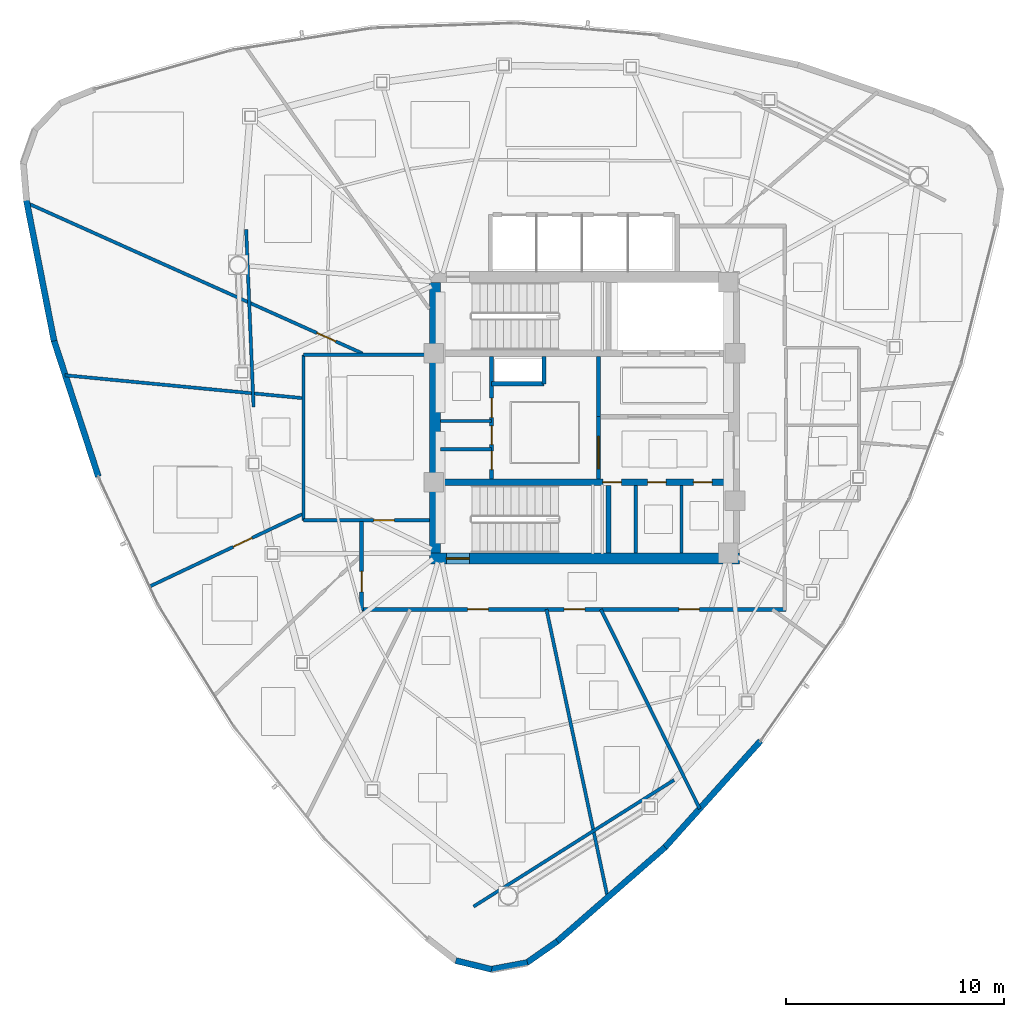
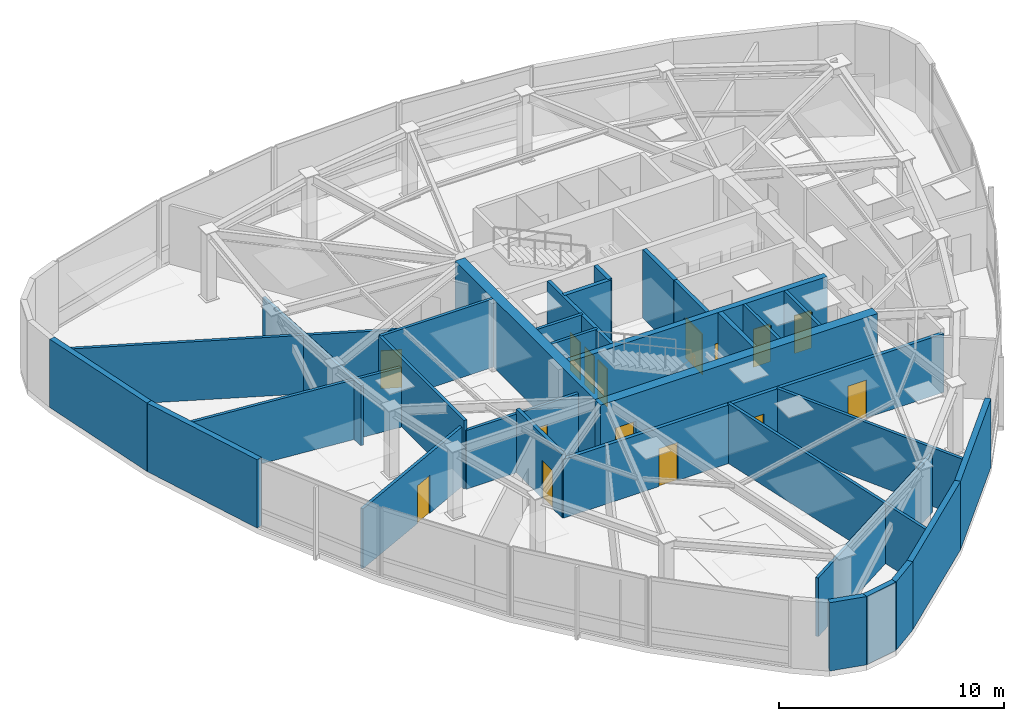
# One storey, part 8 of 12: 32 walls, 15 doors, 15 openings.
"""IFC4 building model written with IfcOpenShell, lengths in metres."""

import ifcopenshell
import ifcopenshell.guid

model = None  # the IFC model being written
_history = None  # IfcOwnerHistory: only IFC2X3 demands one
_inside = {}  # id of a spatial element -> (the spatial element, [elements in it])
_under = {}  # id of a project, library or spatial element -> (it, [spatial elements below it])
_declared = {}  # id of a project -> (the project, [libraries it declares])
_typed = {}  # id of a type object -> (the type object, [elements of that type])
_made_of = {}  # id of a material, layer set ... -> (it, [elements and type objects made of it])


def new_model(schema):
    """Start an empty IFC model of exactly this schema.

    Asked for "IFC4X3", IfcOpenShell would pick the latest addendum, in which some entities
    have other attributes; the version numbers below select the first issue.
    IFC2X3 requires an IfcOwnerHistory on every rooted entity: one is made here for all.
    """
    global model, _history
    if schema == "IFC4X3":
        model = ifcopenshell.file(schema_version=(4, 3, 0, 0))
    else:
        model = ifcopenshell.file(schema=schema)
    _inside.clear()
    _under.clear()
    _declared.clear()
    _typed.clear()
    _made_of.clear()
    _history = None
    if model.schema == "IFC2X3":
        org = make("IfcOrganization", Name="unknown")
        user = make(
            "IfcPersonAndOrganization",
            ThePerson=make("IfcPerson", FamilyName="unknown"),
            TheOrganization=org,
        )
        app = make(
            "IfcApplication",
            ApplicationDeveloper=org,
            Version="unknown",
            ApplicationFullName="unknown",
            ApplicationIdentifier="unknown",
        )
        _history = make(
            "IfcOwnerHistory",
            OwningUser=user,
            OwningApplication=app,
            ChangeAction="ADDED",
            CreationDate=0,
        )
    return model


def make(cls, **values):
    """One entity of the class cls with the attributes given. An attribute that is None is left unset."""
    return model.create_entity(
        cls, **{name: value for name, value in values.items() if value is not None}
    )


def rooted(cls, **values):
    """An entity with a GlobalId (a new one), such as an element, a storey or a relation."""
    return make(cls, GlobalId=ifcopenshell.guid.new(), OwnerHistory=_history, **values)


def si_unit(unit_type, name, prefix=None):
    """IfcSIUnit, for example si_unit("LENGTHUNIT", "METRE", prefix="MILLI")."""
    return make("IfcSIUnit", UnitType=unit_type, Prefix=prefix, Name=name)


def assignment(units):
    """IfcUnitAssignment: the units of a project."""
    return None if units is None else make("IfcUnitAssignment", Units=units)


def point(xyz):
    """IfcCartesianPoint."""
    return None if xyz is None else make("IfcCartesianPoint", Coordinates=xyz)


def direction(xyz):
    """IfcDirection."""
    return None if xyz is None else make("IfcDirection", DirectionRatios=xyz)


def frame(location, z_axis=None, x_axis=None):
    """IfcAxis2Placement3D, a coordinate frame: its origin and axes. An axis left out is left unset."""
    return make(
        "IfcAxis2Placement3D",
        Location=point(location),
        Axis=direction(z_axis),
        RefDirection=direction(x_axis),
    )


def frame_2d(location, x_axis=None):
    """IfcAxis2Placement2D, a coordinate frame in the plane: its origin and x axis."""
    return make(
        "IfcAxis2Placement2D", Location=point(location), RefDirection=direction(x_axis)
    )


def origin():
    """The frame at (0, 0, 0) with its axes left unset."""
    return frame((0.0, 0.0, 0.0))


def place(relative_to, where):
    """IfcLocalPlacement: puts the frame where relative to a parent placement (None: the world)."""
    return make(
        "IfcLocalPlacement", PlacementRelTo=relative_to, RelativePlacement=where
    )


def context(
    kind, dimensions, precision=None, world=None, true_north=None, identifier=None
):
    """IfcGeometricRepresentationContext, for example the 3D "Model" context."""
    return make(
        "IfcGeometricRepresentationContext",
        ContextIdentifier=identifier,
        ContextType=kind,
        CoordinateSpaceDimension=dimensions,
        Precision=precision,
        WorldCoordinateSystem=world,
        TrueNorth=true_north,
    )


def subcontext(parent, identifier, kind, view, scale=None):
    """IfcGeometricRepresentationSubContext, for example "Body" below "Model"."""
    return make(
        "IfcGeometricRepresentationSubContext",
        ContextIdentifier=identifier,
        ContextType=kind,
        ParentContext=parent,
        TargetScale=scale,
        TargetView=view,
    )


def project(units=None, contexts=None):
    """IfcProject with its units and contexts."""
    return rooted(
        "IfcProject",
        Name="project",
        RepresentationContexts=contexts,
        UnitsInContext=assignment(units),
    )


def spatial(cls, under=None, at=None, **own):
    """A site, building, storey or space (cls), placed at a placement, below another one or the project."""
    s = rooted(cls, ObjectPlacement=at, **own)
    if under is not None:
        _under.setdefault(under.id(), (under, []))[1].append(s)
    return s


def profile(cls, at=None, kind="AREA", **sizes):
    """A parametric profile (cls). Its sizes go by their IFC names, for example OverallWidth=200.0."""
    return make(cls, ProfileType=kind, Position=at, **sizes)


def rectangle(**sizes):
    """IfcRectangleProfileDef."""
    return profile("IfcRectangleProfileDef", **sizes)


def extrude(swept, where, along, depth):
    """IfcExtrudedAreaSolid: the profile swept, set in the frame where, extruded along a direction by depth."""
    return make(
        "IfcExtrudedAreaSolid",
        SweptArea=swept,
        Position=where,
        ExtrudedDirection=direction(along),
        Depth=depth,
    )


def shape(context_of_items, identifier, shape_type, items):
    """IfcShapeRepresentation: the items that make up one representation, for example the "Body"."""
    return make(
        "IfcShapeRepresentation",
        ContextOfItems=context_of_items,
        RepresentationIdentifier=identifier,
        RepresentationType=shape_type,
        Items=items,
    )


def material(Name=None, Category=None):
    """IfcMaterial."""
    return make("IfcMaterial", Name=Name, Category=Category)


def layer(
    of_material, thickness, ventilated=None, Name=None, Category=None, Priority=None
):
    """IfcMaterialLayer: one layer of a wall or slab, of a material (None: an air gap)."""
    return make(
        "IfcMaterialLayer",
        Material=of_material,
        LayerThickness=thickness,
        IsVentilated=ventilated,
        Name=Name,
        Category=Category,
        Priority=Priority,
    )


def layer_set(layers, Name=None):
    """IfcMaterialLayerSet."""
    return make("IfcMaterialLayerSet", MaterialLayers=layers, LayerSetName=Name)


def made_of(thing, what):
    """Note that an element or type object is made of a material, layer set ...; save() writes the relation."""
    if what is not None:
        _made_of.setdefault(what.id(), (what, []))[1].append(thing)
    return thing


def type_object(cls, material=None, **own):
    """A type object (cls), such as IfcWallType, which elements share."""
    return made_of(rooted(cls, **own), material)


def element(
    cls,
    number,
    at=None,
    inside=None,
    cuts=None,
    type_object=None,
    material=None,
    context=None,
    identifier="Body",
    shape_type=None,
    held_by="IfcProductDefinitionShape",
    body=None,
    shapes=None,
    **own,
):
    """One element of the class cls, such as IfcWall. Its Tag is "e" and its number.

    at: its placement. inside: the storey or other place that contains it. cuts: it is an
    opening in that element (IfcRelVoidsElement). A single representation is given by context,
    identifier, shape_type and body (its items); several are given by shapes. held_by: the class
    of the entity that holds the representations. save() writes the other relations.
    """
    e = rooted(cls, Tag="e%d" % number, ObjectPlacement=at, **own)
    if body is not None:
        shapes = [shape(context, identifier, shape_type, body)]
    if shapes is not None:
        e.Representation = make(held_by, Representations=shapes)
    if inside is not None:
        _inside.setdefault(inside.id(), (inside, []))[1].append(e)
    if cuts is not None:
        rooted(
            "IfcRelVoidsElement", RelatingBuildingElement=cuts, RelatedOpeningElement=e
        )
    if type_object is not None:
        _typed.setdefault(type_object.id(), (type_object, []))[1].append(e)
    return made_of(e, material)


def fill(opening, filler):
    """IfcRelFillsElement: the door or window that sits in an opening."""
    return rooted(
        "IfcRelFillsElement",
        RelatingOpeningElement=opening,
        RelatedBuildingElement=filler,
    )


def aggregate(whole, parts):
    """IfcRelAggregates: a whole, such as a stair, and the parts it consists of."""
    return rooted("IfcRelAggregates", RelatingObject=whole, RelatedObjects=parts)


def save(model, path):
    """Write the relations noted so far, then the file.

    IfcRelAggregates (storeys below a building ...), IfcRelContainedInSpatialStructure (elements
    in a storey), IfcRelDefinesByType, IfcRelAssociatesMaterial and IfcRelDeclares: one each for
    every whole, place, type object, material and project.
    """
    for whole, parts in _under.values():
        aggregate(whole, parts)
    for where, things in _inside.values():
        rooted(
            "IfcRelContainedInSpatialStructure",
            RelatedElements=things,
            RelatingStructure=where,
        )
    for kind, things in _typed.values():
        rooted("IfcRelDefinesByType", RelatedObjects=things, RelatingType=kind)
    for what, things in _made_of.values():
        rooted("IfcRelAssociatesMaterial", RelatedObjects=things, RelatingMaterial=what)
    for by, libraries in _declared.values():
        rooted("IfcRelDeclares", RelatingContext=by, RelatedDefinitions=libraries)
    model.write(path)


model = new_model("IFC4")

# Units and contexts
model_context = context("Model", 3, precision=1e-05, world=origin(), true_north=direction((0.0, 1.0)))
body_context = subcontext(model_context, "Body", "Model", "MODEL_VIEW")
ifc_project = project(units=[si_unit("LENGTHUNIT", "METRE"), si_unit("AREAUNIT", "SQUARE_METRE"), si_unit("VOLUMEUNIT", "CUBIC_METRE"), si_unit("PLANEANGLEUNIT", "RADIAN"), si_unit("MASSUNIT", "GRAM", prefix="KILO")], contexts=[model_context])

# Site, building, storey
site_placement = place(None, origin())
site = spatial("IfcSite", under=ifc_project, at=site_placement, CompositionType="ELEMENT")
building_placement = place(site_placement, origin())
building = spatial("IfcBuilding", under=site, at=building_placement, Name="Tavelor Broadcast Tower", CompositionType="ELEMENT")
storey_placement = place(building_placement, frame((0.0, 0.0, 289.5)))
storey = spatial("IfcBuildingStorey", under=building, at=storey_placement, Name="L69", CompositionType="ELEMENT", Elevation=289.5)

# Wall, opening, door
ifc_material_1 = material(Name="Concrete C50/60", Category="concrete")
ifc_layer_1 = layer(ifc_material_1, 0.5)
ifc_layer_set_1 = layer_set([ifc_layer_1], Name="Concrete C50/60")
wall_type_1 = type_object("IfcWallType", Name="Core Shear Wall 500 mm", PredefinedType="SHEAR", material=ifc_layer_set_1)
wall_1_placement = place(storey_placement, frame((42.89990234375, 38.550048828125, 0.0), z_axis=(0.0, 0.0, 1.0), x_axis=(1.0, 0.0, 0.0)))
wall_1 = element("IfcWall", 1, at=wall_1_placement, inside=storey, type_object=wall_type_1, Name="L69 Central Core Shear Wall S", PredefinedType="SHEAR", context=body_context, shape_type="SweptSolid", body=[
    extrude(rectangle(XDim=14.2001953125, YDim=0.5, at=frame_2d((7.10009765625, 0.0))), origin(), (0.0, 0.0, 1.0), 3.699951171875),
])
opening_1_placement = place(wall_1_placement, frame((0.780029296875, 0.0, 0.0)))
opening_1 = element("IfcOpeningElement", 2, at=opening_1_placement, cuts=wall_1, Name="Opening DR11", PredefinedType="OPENING", context=body_context, shape_type="SweptSolid", body=[
    extrude(rectangle(XDim=1.050048828125, YDim=2.199951171875, at=frame_2d((0.52490234375, 1.10009765625))), frame((0.0, 0.260009765625, 0.0), z_axis=(0.0, -1.0, 0.0), x_axis=(1.0, 0.0, 0.0)), (0.0, 0.0, 1.0), 0.52001953125),
])
ifc_material_2 = material(Name="Steel S355", Category="steel")
door_type_1 = type_object("IfcDoorType", Name="Stair Core Fire Escape Door 1050x2200", OperationType="NOTDEFINED", PredefinedType="DOOR", material=ifc_material_2)
door_1_placement = place(opening_1_placement, origin())
door_1 = element("IfcDoor", 3, at=door_1_placement, inside=storey, type_object=door_type_1, Name="L69 Stair ST2 Protected Exit Door", OperationType="SINGLE_SWING_RIGHT", OverallHeight=2.199951171875, OverallWidth=1.050048828125, PredefinedType="DOOR", context=body_context, shape_type="SweptSolid", body=[
    extrude(rectangle(XDim=1.050048828125, YDim=2.199951171875, at=frame_2d((0.52490234375, 1.10009765625))), frame((0.0, 0.02490234375, 0.0), z_axis=(0.0, -1.0, 0.0), x_axis=(1.0, 0.0, 0.0)), (0.0, 0.0, 1.0), 0.050048828125),
])
fill(opening_1, door_1)

# Wall
wall_2_placement = place(storey_placement, frame((43.14990234375, 38.800048828125, 0.0), z_axis=(0.0, 0.0, 1.0), x_axis=(0.0, 1.0, 0.0)))
element("IfcWall", 4, at=wall_2_placement, inside=storey, type_object=wall_type_1, Name="L69 Central Core Shear Wall W", PredefinedType="SHEAR", context=body_context, shape_type="SweptSolid", body=[
    extrude(rectangle(XDim=12.39990234375, YDim=0.5, at=frame_2d((6.199951171875, 0.0))), origin(), (0.0, 0.0, 1.0), 3.699951171875),
])

# Wall, openings, doors
ifc_layer_2 = layer(ifc_material_1, 0.300048828125)
ifc_layer_set_2 = layer_set([ifc_layer_2], Name="Concrete C50/60")
wall_type_2 = type_object("IfcWallType", Name="Core Spine Shear Wall 300 mm C50", PredefinedType="SHEAR", material=ifc_layer_set_2)
wall_3_placement = place(storey_placement, frame((43.39990234375, 42.050048828125, 0.0), z_axis=(0.0, 0.0, 1.0), x_axis=(1.0, 0.0, 0.0)))
wall_3 = element("IfcWall", 5, at=wall_3_placement, inside=storey, type_object=wall_type_2, Name="L69 Central Core Shear Wall SP2", PredefinedType="SHEAR", context=body_context, shape_type="SweptSolid", body=[
    extrude(rectangle(XDim=13.2001953125, YDim=0.300048828125, at=frame_2d((6.60009765625, 0.0))), origin(), (0.0, 0.0, 1.0), 3.699951171875),
])
opening_2_placement = place(wall_3_placement, frame((7.449951171875, 0.0, 0.0)))
opening_2 = element("IfcOpeningElement", 6, at=opening_2_placement, cuts=wall_3, Name="Opening DR36", PredefinedType="OPENING", context=body_context, shape_type="SweptSolid", body=[
    extrude(rectangle(XDim=0.85009765625, YDim=2.050048828125, at=frame_2d((0.425048828125, 1.02490234375))), frame((0.0, 0.16015625, 0.0), z_axis=(0.0, -1.0, 0.0), x_axis=(1.0, 0.0, 0.0)), (0.0, 0.0, 1.0), 0.320068359375),
])
opening_3_placement = place(wall_3_placement, frame((9.5, 0.0, 0.0)))
opening_3 = element("IfcOpeningElement", 7, at=opening_3_placement, cuts=wall_3, Name="Opening DR36", PredefinedType="OPENING", context=body_context, shape_type="SweptSolid", body=[
    extrude(rectangle(XDim=0.85009765625, YDim=2.050048828125, at=frame_2d((0.425048828125, 1.02490234375))), frame((0.0, 0.16015625, 0.0), z_axis=(0.0, -1.0, 0.0), x_axis=(1.0, 0.0, 0.0)), (0.0, 0.0, 1.0), 0.320068359375),
])
opening_4_placement = place(wall_3_placement, frame((11.60009765625, 0.0, 0.0)))
opening_4 = element("IfcOpeningElement", 8, at=opening_4_placement, cuts=wall_3, Name="Opening DR36", PredefinedType="OPENING", context=body_context, shape_type="SweptSolid", body=[
    extrude(rectangle(XDim=0.85009765625, YDim=2.050048828125, at=frame_2d((0.425048828125, 1.02490234375))), frame((0.0, 0.16015625, 0.0), z_axis=(0.0, -1.0, 0.0), x_axis=(1.0, 0.0, 0.0)), (0.0, 0.0, 1.0), 0.320068359375),
])
door_type_2 = type_object("IfcDoorType", Name="Service Room Fire Door 850x2050", OperationType="NOTDEFINED", PredefinedType="DOOR", material=ifc_material_2)
door_2_placement = place(opening_2_placement, origin())
door_2 = element("IfcDoor", 9, at=door_2_placement, inside=storey, type_object=door_type_2, Name="L69 Reclaimed South Core Pod 1 Door", OperationType="SINGLE_SWING_LEFT", OverallHeight=2.050048828125, OverallWidth=0.85009765625, PredefinedType="DOOR", context=body_context, shape_type="SweptSolid", body=[
    extrude(rectangle(XDim=0.85009765625, YDim=2.050048828125, at=frame_2d((0.425048828125, 1.02490234375))), frame((0.0, 0.02490234375, 0.0), z_axis=(0.0, -1.0, 0.0), x_axis=(1.0, 0.0, 0.0)), (0.0, 0.0, 1.0), 0.050048828125),
])
fill(opening_2, door_2)
door_3_placement = place(opening_3_placement, origin())
door_3 = element("IfcDoor", 10, at=door_3_placement, inside=storey, type_object=door_type_2, Name="L69 Reclaimed South Core Pod 2 Door", OperationType="SINGLE_SWING_RIGHT", OverallHeight=2.050048828125, OverallWidth=0.85009765625, PredefinedType="DOOR", context=body_context, shape_type="SweptSolid", body=[
    extrude(rectangle(XDim=0.85009765625, YDim=2.050048828125, at=frame_2d((0.425048828125, 1.02490234375))), frame((0.0, 0.02490234375, 0.0), z_axis=(0.0, -1.0, 0.0), x_axis=(1.0, 0.0, 0.0)), (0.0, 0.0, 1.0), 0.050048828125),
])
fill(opening_3, door_3)
door_4_placement = place(opening_4_placement, origin())
door_4 = element("IfcDoor", 11, at=door_4_placement, inside=storey, type_object=door_type_2, Name="L69 Reclaimed South Core Pod 3 Door", OperationType="SINGLE_SWING_LEFT", OverallHeight=2.050048828125, OverallWidth=0.85009765625, PredefinedType="DOOR", context=body_context, shape_type="SweptSolid", body=[
    extrude(rectangle(XDim=0.85009765625, YDim=2.050048828125, at=frame_2d((0.425048828125, 1.02490234375))), frame((0.0, 0.02490234375, 0.0), z_axis=(0.0, -1.0, 0.0), x_axis=(1.0, 0.0, 0.0)), (0.0, 0.0, 1.0), 0.050048828125),
])
fill(opening_4, door_4)

# Wall, opening, door
ifc_material_3 = material(Name="Calcium Silicate Fire Board 180 mm", Category="gypsum")
ifc_layer_3 = layer(ifc_material_3, 0.179931640625)
ifc_layer_set_3 = layer_set([ifc_layer_3], Name="Calcium Silicate Fire Board 180 mm")
wall_type_3 = type_object("IfcWallType", Name="Fire-Rated Corridor Partition Wall 180 mm", PredefinedType="PARTITIONING", material=ifc_layer_set_3)
wall_4_placement = place(storey_placement, frame((50.64990234375, 42.199951171875, 0.0), z_axis=(0.0, 0.0, 1.0), x_axis=(0.0, 1.0, 0.0)))
wall_4 = element("IfcWall", 12, at=wall_4_placement, inside=storey, type_object=wall_type_3, Name="L69 Core Lobby Zoning Wall", PredefinedType="PARTITIONING", context=body_context, shape_type="SweptSolid", body=[
    extrude(rectangle(XDim=2.85009765625, YDim=0.179931640625, at=frame_2d((1.425048828125, 0.0))), origin(), (0.0, 0.0, 1.0), 3.699951171875),
])
opening_5_placement = place(wall_4_placement, frame((0.449951171875, 0.0, 0.0)))
opening_5 = element("IfcOpeningElement", 13, at=opening_5_placement, cuts=wall_4, Name="Opening DR14", PredefinedType="OPENING", context=body_context, shape_type="SweptSolid", body=[
    extrude(rectangle(XDim=1.5, YDim=2.199951171875, at=frame_2d((0.75, 1.10009765625))), frame((0.0, 0.10009765625, 0.0), z_axis=(0.0, -1.0, 0.0), x_axis=(1.0, 0.0, 0.0)), (0.0, 0.0, 1.0), 0.199951171875),
])
door_type_3 = type_object("IfcDoorType", Name="Firefighting Lobby Double Fire Door 1500x2200", OperationType="NOTDEFINED", PredefinedType="DOOR", material=ifc_material_2)
door_5_placement = place(opening_5_placement, origin())
door_5 = element("IfcDoor", 14, at=door_5_placement, inside=storey, type_object=door_type_3, Name="L69 Core West Lobby Double Fire Door", OperationType="SINGLE_SWING_RIGHT", OverallHeight=2.199951171875, OverallWidth=1.5, PredefinedType="DOOR", context=body_context, shape_type="SweptSolid", body=[
    extrude(rectangle(XDim=1.5, YDim=2.199951171875, at=frame_2d((0.75, 1.10009765625))), frame((0.0, 0.02490234375, 0.0), z_axis=(0.0, -1.0, 0.0), x_axis=(1.0, 0.0, 0.0)), (0.0, 0.0, 1.0), 0.050048828125),
])
fill(opening_5, door_5)

# Wall, openings, doors
wall_5_placement = place(storey_placement, frame((45.75, 42.199951171875, 0.0), z_axis=(0.0, 0.0, 1.0), x_axis=(0.0, 1.0, 0.0)))
wall_5 = element("IfcWall", 15, at=wall_5_placement, inside=storey, type_object=wall_type_3, Name="L69 Core West Service East Wall", PredefinedType="PARTITIONING", context=body_context, shape_type="SweptSolid", body=[
    extrude(rectangle(XDim=5.60009765625, YDim=0.179931640625, at=frame_2d((2.800048828125, 0.0))), origin(), (0.0, 0.0, 1.0), 3.699951171875),
])
opening_6_placement = place(wall_5_placement, frame((0.419921875, 0.0, 0.0)))
opening_6 = element("IfcOpeningElement", 16, at=opening_6_placement, cuts=wall_5, Name="Opening DR36", PredefinedType="OPENING", context=body_context, shape_type="SweptSolid", body=[
    extrude(rectangle(XDim=0.85009765625, YDim=2.050048828125, at=frame_2d((0.425048828125, 1.02490234375))), frame((0.0, 0.10009765625, 0.0), z_axis=(0.0, -1.0, 0.0), x_axis=(1.0, 0.0, 0.0)), (0.0, 0.0, 1.0), 0.199951171875),
])
opening_7_placement = place(wall_5_placement, frame((1.570068359375, 0.0, 0.0)))
opening_7 = element("IfcOpeningElement", 17, at=opening_7_placement, cuts=wall_5, Name="Opening DR36", PredefinedType="OPENING", context=body_context, shape_type="SweptSolid", body=[
    extrude(rectangle(XDim=0.85009765625, YDim=2.050048828125, at=frame_2d((0.425048828125, 1.02490234375))), frame((0.0, 0.10009765625, 0.0), z_axis=(0.0, -1.0, 0.0), x_axis=(1.0, 0.0, 0.0)), (0.0, 0.0, 1.0), 0.199951171875),
])
opening_8_placement = place(wall_5_placement, frame((2.800048828125, 0.0, 0.0)))
opening_8 = element("IfcOpeningElement", 18, at=opening_8_placement, cuts=wall_5, Name="Opening DR32", PredefinedType="OPENING", context=body_context, shape_type="SweptSolid", body=[
    extrude(rectangle(XDim=0.89990234375, YDim=2.050048828125, at=frame_2d((0.449951171875, 1.02490234375))), frame((0.0, 0.10009765625, 0.0), z_axis=(0.0, -1.0, 0.0), x_axis=(1.0, 0.0, 0.0)), (0.0, 0.0, 1.0), 0.199951171875),
])
ifc_material_4 = material(Name="Timber Solid Core Hardwood", Category="wood")
door_type_4 = type_object("IfcDoorType", Name="Accessible Washroom Door 900x2050", OperationType="NOTDEFINED", PredefinedType="DOOR", material=ifc_material_4)
door_6_placement = place(opening_8_placement, origin())
door_6 = element("IfcDoor", 19, at=door_6_placement, inside=storey, type_object=door_type_4, Name="L69 Core Accessible WC Door", OperationType="SINGLE_SWING_LEFT", OverallHeight=2.050048828125, OverallWidth=0.89990234375, PredefinedType="DOOR", context=body_context, shape_type="SweptSolid", body=[
    extrude(rectangle(XDim=0.89990234375, YDim=2.050048828125, at=frame_2d((0.449951171875, 1.02490234375))), frame((0.0, 0.02490234375, 0.0), z_axis=(0.0, -1.0, 0.0), x_axis=(1.0, 0.0, 0.0)), (0.0, 0.0, 1.0), 0.050048828125),
])
fill(opening_8, door_6)
door_7_placement = place(opening_6_placement, origin())
door_7 = element("IfcDoor", 20, at=door_7_placement, inside=storey, type_object=door_type_2, Name="L69 Core Medical Room Door", OperationType="SINGLE_SWING_LEFT", OverallHeight=2.050048828125, OverallWidth=0.85009765625, PredefinedType="DOOR", context=body_context, shape_type="SweptSolid", body=[
    extrude(rectangle(XDim=0.85009765625, YDim=2.050048828125, at=frame_2d((0.425048828125, 1.02490234375))), frame((0.0, 0.02490234375, 0.0), z_axis=(0.0, -1.0, 0.0), x_axis=(1.0, 0.0, 0.0)), (0.0, 0.0, 1.0), 0.050048828125),
])
fill(opening_6, door_7)
door_8_placement = place(opening_7_placement, origin())
door_8 = element("IfcDoor", 21, at=door_8_placement, inside=storey, type_object=door_type_2, Name="L69 Core Copy Room Door", OperationType="SINGLE_SWING_RIGHT", OverallHeight=2.050048828125, OverallWidth=0.85009765625, PredefinedType="DOOR", context=body_context, shape_type="SweptSolid", body=[
    extrude(rectangle(XDim=0.85009765625, YDim=2.050048828125, at=frame_2d((0.425048828125, 1.02490234375))), frame((0.0, 0.02490234375, 0.0), z_axis=(0.0, -1.0, 0.0), x_axis=(1.0, 0.0, 0.0)), (0.0, 0.0, 1.0), 0.050048828125),
])
fill(opening_7, door_8)

wall_6_placement = place(storey_placement, frame((59.22998046875, 36.219970703125, 0.0), z_axis=(0.0, 0.0, 1.0), x_axis=(-1.0, 0.0, 0.0)))
wall_6 = element("IfcWall", 22, at=wall_6_placement, inside=storey, type_object=wall_type_3, Name="L69 Corridor Compartment Wall 04", PredefinedType="PARTITIONING", context=body_context, shape_type="SweptSolid", body=[
    extrude(rectangle(XDim=19.47998046875, YDim=0.179931640625, at=frame_2d((9.739990234375, 0.0))), origin(), (0.0, 0.0, 1.0), 3.175048828125),
])
opening_9_placement = place(wall_6_placement, frame((3.954833984375, 0.0, 0.0)))
opening_9 = element("IfcOpeningElement", 23, at=opening_9_placement, cuts=wall_6, Name="Opening DR18", PredefinedType="OPENING", context=body_context, shape_type="SweptSolid", body=[
    extrude(rectangle(XDim=0.949951171875, YDim=2.050048828125, at=frame_2d((0.47509765625, 1.02490234375))), frame((0.0, 0.10009765625, 0.0), z_axis=(0.0, -1.0, 0.0), x_axis=(1.0, 0.0, 0.0)), (0.0, 0.0, 1.0), 0.199951171875),
])
opening_10_placement = place(wall_6_placement, frame((9.210205078125, 0.0, 0.0)))
opening_10 = element("IfcOpeningElement", 24, at=opening_10_placement, cuts=wall_6, Name="Opening DR18", PredefinedType="OPENING", context=body_context, shape_type="SweptSolid", body=[
    extrude(rectangle(XDim=0.949951171875, YDim=2.050048828125, at=frame_2d((0.47509765625, 1.02490234375))), frame((0.0, 0.10009765625, 0.0), z_axis=(0.0, -1.0, 0.0), x_axis=(1.0, 0.0, 0.0)), (0.0, 0.0, 1.0), 0.199951171875),
])
opening_11_placement = place(wall_6_placement, frame((13.622314453125, 0.0, 0.0)))
opening_11 = element("IfcOpeningElement", 25, at=opening_11_placement, cuts=wall_6, Name="Opening DR18", PredefinedType="OPENING", context=body_context, shape_type="SweptSolid", body=[
    extrude(rectangle(XDim=0.949951171875, YDim=2.050048828125, at=frame_2d((0.47509765625, 1.02490234375))), frame((0.0, 0.10009765625, 0.0), z_axis=(0.0, -1.0, 0.0), x_axis=(1.0, 0.0, 0.0)), (0.0, 0.0, 1.0), 0.199951171875),
])
door_type_5 = type_object("IfcDoorType", Name="Corridor Rated Compartment Door 950x2050", OperationType="NOTDEFINED", PredefinedType="DOOR", material=ifc_material_4)
door_9_placement = place(opening_9_placement, origin())
door_9 = element("IfcDoor", 26, at=door_9_placement, inside=storey, type_object=door_type_5, Name="L69 Investigative News Desk Door R1", OperationType="SINGLE_SWING_RIGHT", OverallHeight=2.050048828125, OverallWidth=0.949951171875, PredefinedType="DOOR", context=body_context, shape_type="SweptSolid", body=[
    extrude(rectangle(XDim=0.949951171875, YDim=2.050048828125, at=frame_2d((0.47509765625, 1.02490234375))), frame((0.0, 0.02490234375, 0.0), z_axis=(0.0, -1.0, 0.0), x_axis=(1.0, 0.0, 0.0)), (0.0, 0.0, 1.0), 0.050048828125),
])
fill(opening_9, door_9)
door_10_placement = place(opening_10_placement, origin())
door_10 = element("IfcDoor", 27, at=door_10_placement, inside=storey, type_object=door_type_5, Name="L69 Syndication Legal Office Door R2", OperationType="SINGLE_SWING_LEFT", OverallHeight=2.050048828125, OverallWidth=0.949951171875, PredefinedType="DOOR", context=body_context, shape_type="SweptSolid", body=[
    extrude(rectangle(XDim=0.949951171875, YDim=2.050048828125, at=frame_2d((0.47509765625, 1.02490234375))), frame((0.0, 0.02490234375, 0.0), z_axis=(0.0, -1.0, 0.0), x_axis=(1.0, 0.0, 0.0)), (0.0, 0.0, 1.0), 0.050048828125),
])
fill(opening_10, door_10)
door_11_placement = place(opening_11_placement, origin())
door_11 = element("IfcDoor", 28, at=door_11_placement, inside=storey, type_object=door_type_5, Name="L69 International Bureau Office Door R3", OperationType="SINGLE_SWING_RIGHT", OverallHeight=2.050048828125, OverallWidth=0.949951171875, PredefinedType="DOOR", context=body_context, shape_type="SweptSolid", body=[
    extrude(rectangle(XDim=0.949951171875, YDim=2.050048828125, at=frame_2d((0.47509765625, 1.02490234375))), frame((0.0, 0.02490234375, 0.0), z_axis=(0.0, -1.0, 0.0), x_axis=(1.0, 0.0, 0.0)), (0.0, 0.0, 1.0), 0.050048828125),
])
fill(opening_11, door_11)

# Wall, opening, door
wall_7_placement = place(storey_placement, frame((39.800048828125, 36.169921875, 0.0), z_axis=(0.0, 0.0, 1.0), x_axis=(0.0, 1.0, 0.0)))
wall_7 = element("IfcWall", 29, at=wall_7_placement, inside=storey, type_object=wall_type_3, Name="L69 Corridor Compartment Wall 05", PredefinedType="PARTITIONING", context=body_context, shape_type="SweptSolid", body=[
    extrude(rectangle(XDim=4.080078125, YDim=0.179931640625, at=frame_2d((2.0400390625, 0.0))), origin(), (0.0, 0.0, 1.0), 3.43505859375),
])
opening_12_placement = place(wall_7_placement, frame((0.845458984375, 0.0, 0.0)))
opening_12 = element("IfcOpeningElement", 30, at=opening_12_placement, cuts=wall_7, Name="Opening DR18", PredefinedType="OPENING", context=body_context, shape_type="SweptSolid", body=[
    extrude(rectangle(XDim=0.949951171875, YDim=2.050048828125, at=frame_2d((0.47509765625, 1.02490234375))), frame((0.0, 0.10009765625, 0.0), z_axis=(0.0, -1.0, 0.0), x_axis=(1.0, 0.0, 0.0)), (0.0, 0.0, 1.0), 0.199951171875),
])
door_12_placement = place(opening_12_placement, origin())
door_12 = element("IfcDoor", 31, at=door_12_placement, inside=storey, type_object=door_type_5, Name="L69 Documentary Planning Office Door R4", OperationType="SINGLE_SWING_LEFT", OverallHeight=2.050048828125, OverallWidth=0.949951171875, PredefinedType="DOOR", context=body_context, shape_type="SweptSolid", body=[
    extrude(rectangle(XDim=0.949951171875, YDim=2.050048828125, at=frame_2d((0.47509765625, 1.02490234375))), frame((0.0, 0.02490234375, 0.0), z_axis=(0.0, -1.0, 0.0), x_axis=(1.0, 0.0, 0.0)), (0.0, 0.0, 1.0), 0.050048828125),
])
fill(opening_12, door_12)

# Walls
ifc_material_5 = material(Name="Precast Concrete C40/50", Category="concrete")
ifc_layer_4 = layer(ifc_material_5, 0.280029296875)
ifc_layer_set_4 = layer_set([ifc_layer_4], Name="Precast Concrete C40/50")
wall_type_4 = type_object("IfcWallType", Name="Insulated Precast Terracotta Facade Wall 280 mm", PredefinedType="STANDARD", material=ifc_layer_set_4)
wall_8_placement = place(storey_placement, frame((24.439697265625, 54.97021484375, 0.0), z_axis=(0.0, 0.0, 1.0), x_axis=(0.192925224574, -0.981213461854, 0.0)))
element("IfcWall", 32, at=wall_8_placement, inside=storey, type_object=wall_type_4, Name="L69 Rounded Corner Structural Cladding Pier 05", PredefinedType="STANDARD", context=body_context, shape_type="SweptSolid", body=[
    extrude(rectangle(XDim=6.5791015625, YDim=0.280029296875, at=frame_2d((3.28955078125, 0.0))), origin(), (0.0, 0.0, 1.0), 3.699951171875),
])
wall_9_placement = place(storey_placement, frame((25.701416015625, 48.543701171875, 0.0), z_axis=(0.0, 0.0, 1.0), x_axis=(0.310276998424, -0.950646192991, 0.0)))
element("IfcWall", 33, at=wall_9_placement, inside=storey, type_object=wall_type_4, Name="L69 Rounded Corner Structural Cladding Pier 06", PredefinedType="STANDARD", context=body_context, shape_type="SweptSolid", body=[
    extrude(rectangle(XDim=6.567138671875, YDim=0.280029296875, at=frame_2d((3.28369140625, 0.0))), origin(), (0.0, 0.0, 1.0), 3.699951171875),
])
for number, where, z_axis, x_axis, name in (
    (34, (44.106201171875, 20.12890625, 0.0), (0.0, 0.0, 1.0), (0.971756063888, -0.235987610474, 0.0), "L69 Rounded Corner Structural Cladding Pier 12"),
    (35, (45.7236328125, 19.729736328125, 0.0), (0.0, 0.0, 1.0), (0.98276600355, 0.184853948476, 0.0), "L69 Rounded Corner Structural Cladding Pier 13"),
):
    element("IfcWall", number, at=place(storey_placement, frame(where, z_axis=z_axis, x_axis=x_axis)), inside=storey, type_object=wall_type_4, Name=name, PredefinedType="STANDARD", context=body_context, shape_type="SweptSolid", body=[
        extrude(rectangle(XDim=1.694580078125, YDim=0.280029296875, at=frame_2d((0.84716796875, 0.0))), origin(), (0.0, 0.0, 1.0), 3.699951171875),
    ])
wall_10_placement = place(storey_placement, frame((47.36181640625, 20.031494140625, 0.0), z_axis=(0.0, 0.0, 1.0), x_axis=(0.819665858572, 0.572841933077, 0.0)))
element("IfcWall", 36, at=wall_10_placement, inside=storey, type_object=wall_type_4, Name="L69 Rounded Corner Structural Cladding Pier 14", PredefinedType="STANDARD", context=body_context, shape_type="SweptSolid", body=[
    extrude(rectangle(XDim=1.717041015625, YDim=0.280029296875, at=frame_2d((0.8583984375, 0.0))), origin(), (0.0, 0.0, 1.0), 3.699951171875),
])
wall_11_placement = place(storey_placement, frame((48.74560546875, 20.996826171875, 0.0), z_axis=(0.0, 0.0, 1.0), x_axis=(0.753302644002, 0.657674027569, 0.0)))
element("IfcWall", 37, at=wall_11_placement, inside=storey, type_object=wall_type_4, Name="L69 Rounded Corner Structural Cladding Pier 15", PredefinedType="STANDARD", context=body_context, shape_type="SweptSolid", body=[
    extrude(rectangle(XDim=6.5791015625, YDim=0.280029296875, at=frame_2d((3.28955078125, 0.0))), origin(), (0.0, 0.0, 1.0), 3.699951171875),
])
wall_12_placement = place(storey_placement, frame((53.680419921875, 25.302734375, 0.0), z_axis=(0.0, 0.0, 1.0), x_axis=(0.668148895137, 0.744027589493, 0.0)))
element("IfcWall", 38, at=wall_12_placement, inside=storey, type_object=wall_type_4, Name="L69 Rounded Corner Structural Cladding Pier 16", PredefinedType="STANDARD", context=body_context, shape_type="SweptSolid", body=[
    extrude(rectangle(XDim=6.56689453125, YDim=0.280029296875, at=frame_2d((3.283447265625, 0.0))), origin(), (0.0, 0.0, 1.0), 3.699951171875),
])
ifc_material_6 = material(Name="Gypsum Acoustic Plasterboard 150 mm", Category="gypsum")
ifc_layer_5 = layer(ifc_material_6, 0.14990234375)
ifc_layer_set_5 = layer_set([ifc_layer_5], Name="Gypsum Acoustic Plasterboard 150 mm")
wall_type_5 = type_object("IfcWallType", Name="Interior Acoustic Partition Wall 150 mm", PredefinedType="PARTITIONING", material=ifc_layer_set_5)
for number, where, z_axis, x_axis, name in (
    (39, (52.35009765625, 38.800048828125, 0.0), (0.0, 0.0, 1.0), (0.0, 1.0, 0.0), "L69 Reclaimed South Core Divider 1"),
    (40, (54.449951171875, 38.800048828125, 0.0), (0.0, 0.0, 1.0), (0.0, 1.0, 0.0), "L69 Reclaimed South Core Divider 2"),
):
    element("IfcWall", number, at=place(storey_placement, frame(where, z_axis=z_axis, x_axis=x_axis)), inside=storey, type_object=wall_type_5, Name=name, PredefinedType="PARTITIONING", context=body_context, shape_type="SweptSolid", body=[
        extrude(rectangle(XDim=3.099853515625, YDim=0.14990234375, at=frame_2d((1.5498046875, 0.0))), origin(), (0.0, 0.0, 1.0), 3.699951171875),
    ])
for number, where, z_axis, x_axis, name in (
    (41, (43.39990234375, 43.550048828125, 0.0), (0.0, 0.0, 1.0), (1.0, 0.0, 0.0), "L69 Core Split Wall B1"),
    (42, (43.39990234375, 44.85009765625, 0.0), (0.0, 0.0, 1.0), (1.0, 0.0, 0.0), "L69 Core Split Wall B2"),
):
    element("IfcWall", number, at=place(storey_placement, frame(where, z_axis=z_axis, x_axis=x_axis)), inside=storey, type_object=wall_type_5, Name=name, PredefinedType="PARTITIONING", context=body_context, shape_type="SweptSolid", body=[
        extrude(rectangle(XDim=2.35009765625, YDim=0.14990234375, at=frame_2d((1.175048828125, 0.0))), origin(), (0.0, 0.0, 1.0), 3.699951171875),
    ])
wall_13_placement = place(storey_placement, frame((34.50732421875, 53.61279296875, 0.0), z_axis=(0.0, 0.0, 1.0), x_axis=(0.041875090182, -0.999122853718, 0.0)))
element("IfcWall", 43, at=wall_13_placement, inside=storey, type_object=wall_type_5, Name="L69 Corner Tube Brace Furring Wall 1", PredefinedType="PARTITIONING", context=body_context, shape_type="SweptSolid", body=[
    extrude(rectangle(XDim=8.138916015625, YDim=0.14990234375, at=frame_2d((4.0693359375, 0.0))), origin(), (0.0, 0.0, 1.0), 3.235107421875),
])
wall_14_placement = place(storey_placement, frame((44.9267578125, 22.60546875, 0.0), z_axis=(0.0, 0.0, 1.0), x_axis=(0.845624548895, 0.533778158326, 0.0)))
element("IfcWall", 44, at=wall_14_placement, inside=storey, type_object=wall_type_5, Name="L69 Corner Tube Brace Furring Wall 2", PredefinedType="PARTITIONING", context=body_context, shape_type="SweptSolid", body=[
    extrude(rectangle(XDim=10.861083984375, YDim=0.14990234375, at=frame_2d((5.4306640625, 0.0))), origin(), (0.0, 0.0, 1.0), 3.175048828125),
])

# Wall, opening, door
wall_15_placement = place(storey_placement, frame((37.139892578125, 40.300048828125, 0.0), z_axis=(0.0, 0.0, 1.0), x_axis=(1.0, 0.0, 0.0)))
wall_15 = element("IfcWall", 45, at=wall_15_placement, inside=storey, type_object=wall_type_5, Name="L69 Reclaimed Shaft Pantry South Wall", PredefinedType="PARTITIONING", context=body_context, shape_type="SweptSolid", body=[
    extrude(rectangle(XDim=5.760009765625, YDim=0.14990234375, at=frame_2d((2.8798828125, 0.0))), origin(), (0.0, 0.0, 1.0), 3.175048828125),
])
opening_13_placement = place(wall_15_placement, frame((3.2099609375, 0.0, 0.0)))
opening_13 = element("IfcOpeningElement", 46, at=opening_13_placement, cuts=wall_15, Name="Opening DR18", PredefinedType="OPENING", context=body_context, shape_type="SweptSolid", body=[
    extrude(rectangle(XDim=0.949951171875, YDim=2.050048828125, at=frame_2d((0.47509765625, 1.02490234375))), frame((0.0, 0.0849609375, 0.0), z_axis=(0.0, -1.0, 0.0), x_axis=(1.0, 0.0, 0.0)), (0.0, 0.0, 1.0), 0.169921875),
])
door_13_placement = place(opening_13_placement, origin())
door_13 = element("IfcDoor", 47, at=door_13_placement, inside=storey, type_object=door_type_5, Name="L69 Broadcast IT Patch and Pantry Door", OperationType="SINGLE_SWING_LEFT", OverallHeight=2.050048828125, OverallWidth=0.949951171875, PredefinedType="DOOR", context=body_context, shape_type="SweptSolid", body=[
    extrude(rectangle(XDim=0.949951171875, YDim=2.050048828125, at=frame_2d((0.47509765625, 1.02490234375))), frame((0.0, 0.02490234375, 0.0), z_axis=(0.0, -1.0, 0.0), x_axis=(1.0, 0.0, 0.0)), (0.0, 0.0, 1.0), 0.050048828125),
])
fill(opening_13, door_13)

# Walls
wall_16_placement = place(storey_placement, frame((37.139892578125, 40.300048828125, 0.0), z_axis=(0.0, 0.0, 1.0), x_axis=(0.0, 1.0, 0.0)))
element("IfcWall", 48, at=wall_16_placement, inside=storey, type_object=wall_type_5, Name="L69 Reclaimed Shaft Pantry West Wall", PredefinedType="PARTITIONING", context=body_context, shape_type="SweptSolid", body=[
    extrude(rectangle(XDim=7.579833984375, YDim=0.14990234375, at=frame_2d((3.7900390625, 0.0))), origin(), (0.0, 0.0, 1.0), 3.699951171875),
])
wall_17_placement = place(storey_placement, frame((37.139892578125, 47.8798828125, 0.0), z_axis=(0.0, 0.0, 1.0), x_axis=(1.0, 0.0, 0.0)))
element("IfcWall", 49, at=wall_17_placement, inside=storey, type_object=wall_type_5, Name="L69 Reclaimed Shaft Pantry North Wall", PredefinedType="PARTITIONING", context=body_context, shape_type="SweptSolid", body=[
    extrude(rectangle(XDim=5.760009765625, YDim=0.14990234375, at=frame_2d((2.8798828125, 0.0))), origin(), (0.0, 0.0, 1.0), 3.699951171875),
])
wall_18_placement = place(storey_placement, frame((37.080078125, 45.8974609375, 0.0), z_axis=(0.0, 0.0, 1.0), x_axis=(-0.995396031576, 0.095847484697, 0.0)))
element("IfcWall", 50, at=wall_18_placement, inside=storey, type_object=wall_type_5, Name="L69 Radial Compartment Wall 01", PredefinedType="PARTITIONING", context=body_context, shape_type="SweptSolid", body=[
    extrude(rectangle(XDim=10.917236328125, YDim=0.14990234375, at=frame_2d((5.45849609375, 0.0))), origin(), (0.0, 0.0, 1.0), 3.235107421875),
])

# Wall, opening, door
wall_19_placement = place(storey_placement, frame((37.080078125, 40.58251953125, 0.0), z_axis=(0.0, 0.0, 1.0), x_axis=(-0.903633216719, -0.428307144048, 0.0)))
wall_19 = element("IfcWall", 51, at=wall_19_placement, inside=storey, type_object=wall_type_5, Name="L69 Radial Compartment Wall 02", PredefinedType="PARTITIONING", context=body_context, shape_type="SweptSolid", body=[
    extrude(rectangle(XDim=7.7470703125, YDim=0.14990234375, at=frame_2d((3.87353515625, 0.0))), origin(), (0.0, 0.0, 1.0), 3.235107421875),
])
opening_14_placement = place(wall_19_placement, frame((2.550048828125, 0.0, 0.0)))
opening_14 = element("IfcOpeningElement", 52, at=opening_14_placement, cuts=wall_19, Name="Opening DR18", PredefinedType="OPENING", context=body_context, shape_type="SweptSolid", body=[
    extrude(rectangle(XDim=0.949951171875, YDim=2.050048828125, at=frame_2d((0.47509765625, 1.02490234375))), frame((0.0, 0.0849609375, 0.0), z_axis=(0.0, -1.0, 0.0), x_axis=(1.0, 0.0, 0.0)), (0.0, 0.0, 1.0), 0.169921875),
])
door_14_placement = place(opening_14_placement, origin())
door_14 = element("IfcDoor", 53, at=door_14_placement, inside=storey, type_object=door_type_5, Name="L69 Suite Connecting Door 6", OperationType="SINGLE_SWING_RIGHT", OverallHeight=2.050048828125, OverallWidth=0.949951171875, PredefinedType="DOOR", context=body_context, shape_type="SweptSolid", body=[
    extrude(rectangle(XDim=0.949951171875, YDim=2.050048828125, at=frame_2d((0.47509765625, 1.02490234375))), frame((0.0, 0.02490234375, 0.0), z_axis=(0.0, -1.0, 0.0), x_axis=(1.0, 0.0, 0.0)), (0.0, 0.0, 1.0), 0.050048828125),
])
fill(opening_14, door_14)

# Walls
wall_20_placement = place(storey_placement, frame((48.26513671875, 36.219970703125, 0.0), z_axis=(0.0, 0.0, 1.0), x_axis=(0.20780728355, -0.97816978736, 0.0)))
element("IfcWall", 54, at=wall_20_placement, inside=storey, type_object=wall_type_5, Name="L69 Radial Compartment Wall 05", PredefinedType="PARTITIONING", context=body_context, shape_type="SweptSolid", body=[
    extrude(rectangle(XDim=13.501220703125, YDim=0.14990234375, at=frame_2d((6.75048828125, 0.0))), origin(), (0.0, 0.0, 1.0), 3.235107421875),
])
wall_21_placement = place(storey_placement, frame((50.756591796875, 36.219970703125, 0.0), z_axis=(0.0, 0.0, 1.0), x_axis=(0.444502505577, -0.895777607744, 0.0)))
element("IfcWall", 55, at=wall_21_placement, inside=storey, type_object=wall_type_5, Name="L69 Radial Compartment Wall 06", PredefinedType="PARTITIONING", context=body_context, shape_type="SweptSolid", body=[
    extrude(rectangle(XDim=10.20166015625, YDim=0.14990234375, at=frame_2d((5.100830078125, 0.0))), origin(), (0.0, 0.0, 1.0), 3.175048828125),
])

# Wall, opening, door
wall_22_placement = place(storey_placement, frame((39.84619140625, 47.93994140625, 0.0), z_axis=(0.0, 0.0, 1.0), x_axis=(-0.912406658664, 0.409284850961, 0.0)))
wall_22 = element("IfcWall", 56, at=wall_22_placement, inside=storey, type_object=wall_type_5, Name="L69 Radial Compartment Wall 12", PredefinedType="PARTITIONING", context=body_context, shape_type="SweptSolid", body=[
    extrude(rectangle(XDim=16.869873046875, YDim=0.14990234375, at=frame_2d((8.43505859375, 0.0))), origin(), (0.0, 0.0, 1.0), 3.175048828125),
])
opening_15_placement = place(wall_22_placement, frame((1.35009765625, 0.0, 0.0)))
opening_15 = element("IfcOpeningElement", 57, at=opening_15_placement, cuts=wall_22, Name="Opening DR18", PredefinedType="OPENING", context=body_context, shape_type="SweptSolid", body=[
    extrude(rectangle(XDim=0.949951171875, YDim=2.050048828125, at=frame_2d((0.47509765625, 1.02490234375))), frame((0.0, 0.0849609375, 0.0), z_axis=(0.0, -1.0, 0.0), x_axis=(1.0, 0.0, 0.0)), (0.0, 0.0, 1.0), 0.169921875),
])
door_15_placement = place(opening_15_placement, origin())
door_15 = element("IfcDoor", 58, at=door_15_placement, inside=storey, type_object=door_type_5, Name="L69 Suite Connecting Door 7", OperationType="SINGLE_SWING_LEFT", OverallHeight=2.050048828125, OverallWidth=0.949951171875, PredefinedType="DOOR", context=body_context, shape_type="SweptSolid", body=[
    extrude(rectangle(XDim=0.949951171875, YDim=2.050048828125, at=frame_2d((0.47509765625, 1.02490234375))), frame((0.0, 0.02490234375, 0.0), z_axis=(0.0, -1.0, 0.0), x_axis=(1.0, 0.0, 0.0)), (0.0, 0.0, 1.0), 0.050048828125),
])
fill(opening_15, door_15)

# Walls
ifc_material_7 = material(Name="Concrete Blockwork 200 mm", Category="masonry")
ifc_layer_6 = layer(ifc_material_7, 0.199951171875)
ifc_layer_set_6 = layer_set([ifc_layer_6], Name="Concrete Blockwork 200 mm")
wall_type_6 = type_object("IfcWallType", Name="Lift and Riser Shaft Enclosure Wall 200 mm", PredefinedType="PARTITIONING", material=ifc_layer_set_6)
wall_23_placement = place(storey_placement, frame((45.75, 46.550048828125, 0.0), z_axis=(0.0, 0.0, 1.0), x_axis=(1.0, 0.0, 0.0)))
element("IfcWall", 59, at=wall_23_placement, inside=storey, type_object=wall_type_6, Name="L69 Riser Shaft South Wall", PredefinedType="PARTITIONING", context=body_context, shape_type="SweptSolid", body=[
    extrude(rectangle(XDim=2.39990234375, YDim=0.199951171875, at=frame_2d((1.199951171875, 0.0))), origin(), (0.0, 0.0, 1.0), 3.699951171875),
])
wall_24_placement = place(storey_placement, frame((48.14990234375, 46.550048828125, 0.0), z_axis=(0.0, 0.0, 1.0), x_axis=(0.0, 1.0, 0.0)))
element("IfcWall", 60, at=wall_24_placement, inside=storey, type_object=wall_type_6, Name="L69 Riser Shaft East Wall", PredefinedType="PARTITIONING", context=body_context, shape_type="SweptSolid", body=[
    extrude(rectangle(XDim=1.25, YDim=0.199951171875, at=frame_2d((0.625, 0.0))), origin(), (0.0, 0.0, 1.0), 3.699951171875),
])
wall_25_placement = place(storey_placement, frame((50.64990234375, 45.050048828125, 0.0), z_axis=(0.0, 0.0, 1.0), x_axis=(0.0, 1.0, 0.0)))
element("IfcWall", 61, at=wall_25_placement, inside=storey, type_object=wall_type_6, Name="L69 Firefighting Lobby West Wall", PredefinedType="PARTITIONING", context=body_context, shape_type="SweptSolid", body=[
    extrude(rectangle(XDim=2.75, YDim=0.199951171875, at=frame_2d((1.375, 0.0))), origin(), (0.0, 0.0, 1.0), 3.699951171875),
])
ifc_material_8 = material(Name="Concrete C40/50", Category="concrete")
ifc_layer_7 = layer(ifc_material_8, 0.219970703125)
ifc_layer_set_7 = layer_set([ifc_layer_7], Name="Concrete C40/50")
wall_type_7 = type_object("IfcWallType", Name="Structural Stairwell Shear Wall 220 mm", PredefinedType="SHEAR", material=ifc_layer_set_7)
wall_26_placement = place(storey_placement, frame((51.110107421875, 38.800048828125, 0.0), z_axis=(0.0, 0.0, 1.0), x_axis=(0.0, 1.0, 0.0)))
element("IfcWall", 62, at=wall_26_placement, inside=storey, type_object=wall_type_7, Name="L69 Stair ST2 Structural Shaft Wall", PredefinedType="SHEAR", context=body_context, shape_type="SweptSolid", body=[
    extrude(rectangle(XDim=3.099853515625, YDim=0.219970703125, at=frame_2d((1.5498046875, 0.0))), origin(), (0.0, 0.0, 1.0), 3.699951171875),
])

save(model, "model.ifc")
